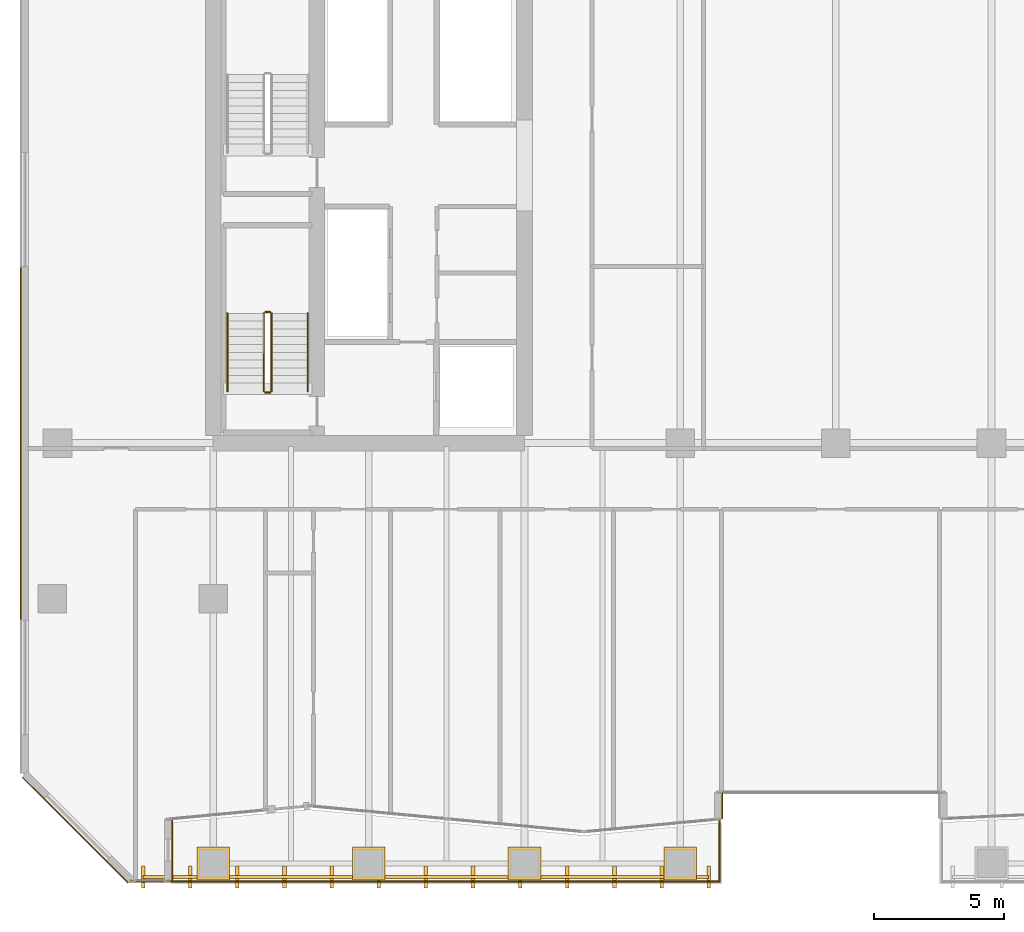
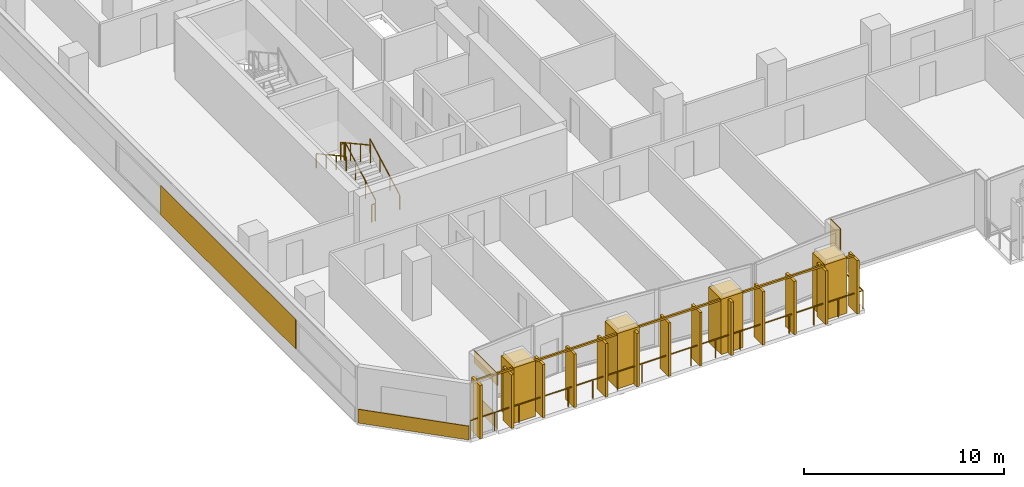
# One storey, part 26 of 31: 9 coverings, 8 railings.
"""IFC4 building model written with IfcOpenShell, lengths in metres."""

from ifc_helpers import new_model, si_unit, direction, frame, origin, origin_2d, place, context, subcontext, project, spatial, rectangle, extrude, material, layer, layer_set, type_object, element, save


model = new_model("IFC4")

# Units and contexts
model_context = context("Model", 3, precision=1e-05, world=origin(), true_north=direction((0.0, 1.0)))
body_context = subcontext(model_context, "Body", "Model", "MODEL_VIEW")
ifc_project = project(units=[si_unit("LENGTHUNIT", "METRE"), si_unit("AREAUNIT", "SQUARE_METRE"), si_unit("VOLUMEUNIT", "CUBIC_METRE"), si_unit("PLANEANGLEUNIT", "RADIAN"), si_unit("MASSUNIT", "GRAM", prefix="KILO")], contexts=[model_context])

# Site, building, storey
site_placement = place(None, origin())
site = spatial("IfcSite", under=ifc_project, at=site_placement, CompositionType="ELEMENT")
building_placement = place(site_placement, origin())
building = spatial("IfcBuilding", under=site, at=building_placement, Name="Tanjung Sevakor Pilgrim Tower", CompositionType="ELEMENT")
storey_placement = place(building_placement, frame((0.0, 0.0, 58.739990234375)))
storey = spatial("IfcBuildingStorey", under=building, at=storey_placement, Name="L16", CompositionType="ELEMENT", Elevation=58.739990234375)

# Coverings
ifc_material_1 = material(Name="Reconstructed Limestone Cladding", Category="masonry")
ifc_layer = layer(ifc_material_1, 0.044921875)
ifc_layer_set = layer_set([ifc_layer], Name="COV-CLAD-LIMESTONE")
covering_type = type_object("IfcCoveringType", Name="COV-CLAD-LIMESTONE", PredefinedType="CLADDING", material=ifc_layer_set)
covering_1_placement = place(storey_placement, frame((22.422607421875, 8.923583984375, 0.009765625), z_axis=(0.0, 0.0, 1.0), x_axis=(0.0, 1.0, 0.0)))
element("IfcCovering", 1, at=covering_1_placement, inside=storey, type_object=covering_type, Name="L16 Warm Limestone Sill Spandrel EW-L16-MAIN-2-1", PredefinedType="CLADDING", context=body_context, shape_type="SweptSolid", body=[
    extrude(rectangle(XDim=2.287353515625, YDim=0.044921875, at=origin_2d()), origin(), (0.0, 0.0, 1.0), 0.840087890625),
])
covering_2_placement = place(storey_placement, frame((22.422607421875, 8.923583984375, 2.66015625), z_axis=(0.0, 0.0, 1.0), x_axis=(0.0, 1.0, 0.0)))
element("IfcCovering", 2, at=covering_2_placement, inside=storey, type_object=covering_type, Name="L16 Warm Limestone Cornice Spandrel EW-L16-MAIN-2", PredefinedType="CLADDING", context=body_context, shape_type="SweptSolid", body=[
    extrude(rectangle(XDim=2.327392578125, YDim=0.044921875, at=origin_2d()), origin(), (0.0, 0.0, 1.0), 0.739990234375),
])
covering_3_placement = place(storey_placement, frame((43.62255859375, 10.623779296875, 0.02001953125), z_axis=(0.0, 0.0, 1.0), x_axis=(0.0, 1.0, 0.0)))
element("IfcCovering", 3, at=covering_3_placement, inside=storey, type_object=covering_type, Name="L16 Warm Limestone Wall Cladding EW-L16-MAIN-7", PredefinedType="CLADDING", context=body_context, shape_type="SweptSolid", body=[
    extrude(rectangle(XDim=0.99267578125, YDim=0.044921875, at=origin_2d()), origin(), (0.0, 0.0, 1.0), 3.3701171875),
])
covering_4_placement = place(storey_placement, frame((16.577392578125, 24.58447265625, 0.85009765625), z_axis=(0.0, 0.0, 1.0), x_axis=(0.0, -1.0, 0.0)))
element("IfcCovering", 4, at=covering_4_placement, inside=storey, type_object=covering_type, Name="L16 Warm Limestone Pier Panel EW-L16-MAIN-35-2", PredefinedType="CLADDING", context=body_context, shape_type="SweptSolid", body=[
    extrude(rectangle(XDim=13.531005859375, YDim=0.044921875, at=origin_2d()), origin(), (0.0, 0.0, 1.0), 1.81005859375),
])
covering_5_placement = place(storey_placement, frame((18.68408203125, 9.68408203125, 0.009765625), z_axis=(0.0, 0.0, 1.0), x_axis=(0.707106781187, -0.707106781187, 0.0)))
element("IfcCovering", 5, at=covering_5_placement, inside=storey, type_object=covering_type, Name="L16 Warm Limestone Sill Spandrel EW-CHM-L16-MAIN-35-1", PredefinedType="CLADDING", context=body_context, shape_type="SweptSolid", body=[
    extrude(rectangle(XDim=5.74365234375, YDim=0.044921875, at=origin_2d()), origin(), (0.0, 0.0, 1.0), 0.840087890625),
])
for number, where, z_axis, x_axis, name in (
    (6, (24.0, 8.39990234375, 0.01025390625), (0.0, 0.0, 1.0), (1.0, 0.0, 0.0), "L16 Colonnade Pier Limestone Casing 25"),
    (7, (30.0, 8.39990234375, 0.01025390625), (0.0, 0.0, 1.0), (1.0, 0.0, 0.0), "L16 Colonnade Pier Limestone Casing 27"),
    (8, (36.0, 8.39990234375, 0.01025390625), (0.0, 0.0, 1.0), (1.0, 0.0, 0.0), "L16 Colonnade Pier Limestone Casing 29"),
    (9, (42.0, 8.39990234375, 0.01025390625), (0.0, 0.0, 1.0), (1.0, 0.0, 0.0), "L16 Colonnade Pier Limestone Casing 31"),
):
    element("IfcCovering", number, at=place(storey_placement, frame(where, z_axis=z_axis, x_axis=x_axis)), inside=storey, type_object=covering_type, Name=name, PredefinedType="CLADDING", context=body_context, shape_type="SweptSolid", body=[
        extrude(rectangle(XDim=1.260009765625, YDim=1.260009765625, at=origin_2d()), origin(), (0.0, 0.0, 1.0), 3.389892578125),
    ])

# Railings
ifc_material_2 = material(Name="Steel S355J2", Category="steel")
railing_type_1 = type_object("IfcRailingType", Name="RL-EXT-GUARD", PredefinedType="GUARDRAIL", material=ifc_material_2)
railing_1_placement = place(storey_placement, frame((20.800048828125, 7.699951171875, 0.0)))
element("IfcRailing", 10, at=railing_1_placement, inside=storey, type_object=railing_type_1, Name="L16 S-Curve Gap Guardrail SW", PredefinedType="GUARDRAIL", context=body_context, shape_type="SweptSolid", body=[
    extrude(rectangle(XDim=0.0479, YDim=0.0479), frame((0.0, 0.0, 1.1259765625), z_axis=(1.0, 0.0, 0.0), x_axis=(0.0, 1.0, 0.0)), (0.0, 0.0, 1.0), 22.719970703125),
    extrude(rectangle(XDim=0.0479, YDim=0.0479), frame((22.719970703125, 0.0, 1.1259765625), z_axis=(0.0, 1.0, 0.0), x_axis=(-1.0, 0.0, 0.0)), (0.0, 0.0, 1.0), 3.300048828125),
    extrude(rectangle(XDim=0.042, YDim=0.042), origin(), (0.0, 0.0, 1.0), 1.101806640625),
    extrude(rectangle(XDim=0.042, YDim=0.042), frame((1.419921875, 0.0, 0.0)), (0.0, 0.0, 1.0), 1.101806640625),
    extrude(rectangle(XDim=0.042, YDim=0.042), frame((2.840087890625, 0.0, 0.0)), (0.0, 0.0, 1.0), 1.101806640625),
    extrude(rectangle(XDim=0.042, YDim=0.042), frame((4.260009765625, 0.0, 0.0)), (0.0, 0.0, 1.0), 1.101806640625),
    extrude(rectangle(XDim=0.042, YDim=0.042), frame((5.679931640625, 0.0, 0.0)), (0.0, 0.0, 1.0), 1.101806640625),
    extrude(rectangle(XDim=0.042, YDim=0.042), frame((7.10009765625, 0.0, 0.0)), (0.0, 0.0, 1.0), 1.101806640625),
    extrude(rectangle(XDim=0.042, YDim=0.042), frame((8.52001953125, 0.0, 0.0)), (0.0, 0.0, 1.0), 1.101806640625),
    extrude(rectangle(XDim=0.042, YDim=0.042), frame((9.93994140625, 0.0, 0.0)), (0.0, 0.0, 1.0), 1.101806640625),
    extrude(rectangle(XDim=0.042, YDim=0.042), frame((11.35986328125, 0.0, 0.0)), (0.0, 0.0, 1.0), 1.101806640625),
    extrude(rectangle(XDim=0.042, YDim=0.042), frame((12.780029296875, 0.0, 0.0)), (0.0, 0.0, 1.0), 1.101806640625),
    extrude(rectangle(XDim=0.042, YDim=0.042), frame((14.199951171875, 0.0, 0.0)), (0.0, 0.0, 1.0), 1.101806640625),
    extrude(rectangle(XDim=0.042, YDim=0.042), frame((15.619873046875, 0.0, 0.0)), (0.0, 0.0, 1.0), 1.101806640625),
    extrude(rectangle(XDim=0.042, YDim=0.042), frame((17.0400390625, 0.0, 0.0)), (0.0, 0.0, 1.0), 1.101806640625),
    extrude(rectangle(XDim=0.042, YDim=0.042), frame((18.4599609375, 0.0, 0.0)), (0.0, 0.0, 1.0), 1.101806640625),
    extrude(rectangle(XDim=0.042, YDim=0.042), frame((19.8798828125, 0.0, 0.0)), (0.0, 0.0, 1.0), 1.101806640625),
    extrude(rectangle(XDim=0.042, YDim=0.042), frame((21.300048828125, 0.0, 0.0)), (0.0, 0.0, 1.0), 1.101806640625),
    extrude(rectangle(XDim=0.042, YDim=0.042), frame((22.719970703125, 0.0, 0.0)), (0.0, 0.0, 1.0), 1.101806640625),
    extrude(rectangle(XDim=0.042, YDim=0.042), frame((22.719970703125, 1.10009765625, 0.0)), (0.0, 0.0, 1.0), 1.101806640625),
    extrude(rectangle(XDim=0.042, YDim=0.042), frame((22.719970703125, 2.199951171875, 0.0)), (0.0, 0.0, 1.0), 1.101806640625),
    extrude(rectangle(XDim=0.042, YDim=0.042), frame((22.719970703125, 3.300048828125, 0.0)), (0.0, 0.0, 1.0), 1.101806640625),
])
ifc_material_3 = material(Name="Anodised Bronze Aluminium 6063-T6", Category="aluminium")
railing_type_2 = type_object("IfcRailingType", Name="RL-FIN-SCREEN", PredefinedType="BALUSTRADE", material=ifc_material_3)
railing_2_placement = place(storey_placement, frame((21.300048828125, 7.8798828125, 0.0)))
element("IfcRailing", 11, at=railing_2_placement, inside=storey, type_object=railing_type_2, Name="L16 Vertical Bronze-Gold Solar Fin Screen FN-SCGAP-L16-SW-1", PredefinedType="BALUSTRADE", context=body_context, shape_type="SweptSolid", body=[
    extrude(rectangle(XDim=0.105, YDim=0.105), frame((0.0, 0.0, 3.317626953125), z_axis=(1.0, 0.0, 0.0), x_axis=(0.0, 1.0, 0.0)), (0.0, 0.0, 1.0), 21.800048828125),
    extrude(rectangle(XDim=0.14, YDim=0.85), origin(), (0.0, 0.0, 1.0), 3.26513671875),
    extrude(rectangle(XDim=0.14, YDim=0.85), frame((1.816650390625, 0.0, 0.0)), (0.0, 0.0, 1.0), 3.26513671875),
    extrude(rectangle(XDim=0.14, YDim=0.85), frame((3.63330078125, 0.0, 0.0)), (0.0, 0.0, 1.0), 3.26513671875),
    extrude(rectangle(XDim=0.14, YDim=0.85), frame((5.449951171875, 0.0, 0.0)), (0.0, 0.0, 1.0), 3.26513671875),
    extrude(rectangle(XDim=0.14, YDim=0.85), frame((7.2666015625, 0.0, 0.0)), (0.0, 0.0, 1.0), 3.26513671875),
    extrude(rectangle(XDim=0.14, YDim=0.85), frame((9.083251953125, 0.0, 0.0)), (0.0, 0.0, 1.0), 3.26513671875),
    extrude(rectangle(XDim=0.14, YDim=0.85), frame((10.89990234375, 0.0, 0.0)), (0.0, 0.0, 1.0), 3.26513671875),
    extrude(rectangle(XDim=0.14, YDim=0.85), frame((12.716796875, 0.0, 0.0)), (0.0, 0.0, 1.0), 3.26513671875),
    extrude(rectangle(XDim=0.14, YDim=0.85), frame((14.533447265625, 0.0, 0.0)), (0.0, 0.0, 1.0), 3.26513671875),
    extrude(rectangle(XDim=0.14, YDim=0.85), frame((16.35009765625, 0.0, 0.0)), (0.0, 0.0, 1.0), 3.26513671875),
    extrude(rectangle(XDim=0.14, YDim=0.85), frame((18.166748046875, 0.0, 0.0)), (0.0, 0.0, 1.0), 3.26513671875),
    extrude(rectangle(XDim=0.14, YDim=0.85), frame((19.9833984375, 0.0, 0.0)), (0.0, 0.0, 1.0), 3.26513671875),
    extrude(rectangle(XDim=0.14, YDim=0.85), frame((21.800048828125, 0.0, 0.0)), (0.0, 0.0, 1.0), 3.26513671875),
])
ifc_material_4 = material(Name="Steel S355J2", Category="steel")
railing_type_3 = type_object("IfcRailingType", Name="RL-STAIR-GUARD", PredefinedType="GUARDRAIL", material=ifc_material_4)
railing_3_placement = place(storey_placement, frame((26.25, 26.60009765625, 0.1650390625)))
element("IfcRailing", 12, at=railing_3_placement, inside=storey, type_object=railing_type_3, Name="L16 TS-W1 stair guard 1", PredefinedType="GUARDRAIL", context=body_context, shape_type="SweptSolid", body=[
    extrude(rectangle(XDim=0.0479, YDim=0.0479), frame((0.0, 0.0, 1.076171875), z_axis=(0.0, 0.876227952683, 0.48189685093), x_axis=(-1.0, 0.0, 0.0)), (0.0, 0.0, 1.0), 3.423828125),
    extrude(rectangle(XDim=0.042, YDim=0.042), origin(), (0.0, 0.0, 1.0), 1.052001953125),
    extrude(rectangle(XDim=0.042, YDim=0.042), frame((0.0, 1.0, 0.550048828125)), (0.0, 0.0, 1.0), 1.052001953125),
    extrude(rectangle(XDim=0.042, YDim=0.042), frame((0.0, 2.0, 1.099853515625)), (0.0, 0.0, 1.0), 1.052001953125),
    extrude(rectangle(XDim=0.042, YDim=0.042), frame((0.0, 3.0, 1.64990234375)), (0.0, 0.0, 1.0), 1.052001953125),
])
railing_4_placement = place(storey_placement, frame((26.199951171875, 29.64990234375, 1.81494140625)))
element("IfcRailing", 13, at=railing_4_placement, inside=storey, type_object=railing_type_3, Name="L16 TS-W1 stair guard 2", PredefinedType="GUARDRAIL", context=body_context, shape_type="SweptSolid", body=[
    extrude(rectangle(XDim=0.0479, YDim=0.0479), frame((0.0, 0.0, 1.076171875), z_axis=(-1.0, 0.0, 0.0), x_axis=(0.0, -1.0, 0.0)), (0.0, 0.0, 1.0), 0.199951171875),
    extrude(rectangle(XDim=0.042, YDim=0.042), origin(), (0.0, 0.0, 1.0), 1.052001953125),
    extrude(rectangle(XDim=0.042, YDim=0.042), frame((-0.199951171875, 0.0, 0.0)), (0.0, 0.0, 1.0), 1.052001953125),
])
railing_5_placement = place(storey_placement, frame((25.949951171875, 29.60009765625, 1.97998046875)))
element("IfcRailing", 14, at=railing_5_placement, inside=storey, type_object=railing_type_3, Name="L16 TS-W1 stair guard 3", PredefinedType="GUARDRAIL", context=body_context, shape_type="SweptSolid", body=[
    extrude(rectangle(XDim=0.0479, YDim=0.0479), frame((0.0, 0.0, 1.076171875), z_axis=(0.0, -0.876197842262, 0.481951596342), x_axis=(1.0, 0.0, 0.0)), (0.0, 0.0, 1.0), 3.423828125),
    extrude(rectangle(XDim=0.042, YDim=0.042), origin(), (0.0, 0.0, 1.0), 1.052001953125),
    extrude(rectangle(XDim=0.042, YDim=0.042), frame((0.0, -1.0, 0.550048828125)), (0.0, 0.0, 1.0), 1.052001953125),
    extrude(rectangle(XDim=0.042, YDim=0.042), frame((0.0, -2.0, 1.10009765625)), (0.0, 0.0, 1.0), 1.052001953125),
    extrude(rectangle(XDim=0.042, YDim=0.042), frame((0.0, -3.0, 1.650146484375)), (0.0, 0.0, 1.0), 1.052001953125),
])
railing_6_placement = place(storey_placement, frame((26.199951171875, 26.550048828125, 0.0)))
element("IfcRailing", 15, at=railing_6_placement, inside=storey, type_object=railing_type_3, Name="L16 TS-W1 stair guard 4", PredefinedType="GUARDRAIL", context=body_context, shape_type="SweptSolid", body=[
    extrude(rectangle(XDim=0.0479, YDim=0.0479), frame((0.0, 0.0, 1.076171875), z_axis=(-1.0, 0.0, 0.0), x_axis=(0.0, -1.0, 0.0)), (0.0, 0.0, 1.0), 0.199951171875),
    extrude(rectangle(XDim=0.042, YDim=0.042), origin(), (0.0, 0.0, 1.0), 1.052001953125),
    extrude(rectangle(XDim=0.042, YDim=0.042), frame((-0.199951171875, 0.0, 0.0)), (0.0, 0.0, 1.0), 1.052001953125),
])
ifc_material_5 = material(Name="Steel S355J2", Category="steel")
railing_type_4 = type_object("IfcRailingType", Name="RL-STAIR-HAND", PredefinedType="HANDRAIL", material=ifc_material_5)
railing_7_placement = place(storey_placement, frame((27.64990234375, 26.60009765625, 0.1650390625)))
element("IfcRailing", 16, at=railing_7_placement, inside=storey, type_object=railing_type_4, Name="L16 TS-W1 stair handrail 1", PredefinedType="HANDRAIL", context=body_context, shape_type="SweptSolid", body=[
    extrude(rectangle(XDim=0.0479, YDim=0.0479), frame((0.0, 0.0, 0.8759765625), z_axis=(0.0, 0.876227952683, 0.48189685093), x_axis=(-1.0, 0.0, 0.0)), (0.0, 0.0, 1.0), 3.423828125),
    extrude(rectangle(XDim=0.042, YDim=0.042), origin(), (0.0, 0.0, 1.0), 0.851806640625),
    extrude(rectangle(XDim=0.042, YDim=0.042), frame((0.0, 1.0, 0.550048828125)), (0.0, 0.0, 1.0), 0.851806640625),
    extrude(rectangle(XDim=0.042, YDim=0.042), frame((0.0, 2.0, 1.099853515625)), (0.0, 0.0, 1.0), 0.851806640625),
    extrude(rectangle(XDim=0.042, YDim=0.042), frame((0.0, 3.0, 1.64990234375)), (0.0, 0.0, 1.0), 0.851806640625),
])
railing_8_placement = place(storey_placement, frame((24.550048828125, 29.60009765625, 1.97998046875)))
element("IfcRailing", 17, at=railing_8_placement, inside=storey, type_object=railing_type_4, Name="L16 TS-W1 stair handrail 2", PredefinedType="HANDRAIL", context=body_context, shape_type="SweptSolid", body=[
    extrude(rectangle(XDim=0.0479, YDim=0.0479), frame((0.0, 0.0, 0.8759765625), z_axis=(0.0, -0.876197842262, 0.481951596342), x_axis=(1.0, 0.0, 0.0)), (0.0, 0.0, 1.0), 3.423828125),
    extrude(rectangle(XDim=0.042, YDim=0.042), origin(), (0.0, 0.0, 1.0), 0.851806640625),
    extrude(rectangle(XDim=0.042, YDim=0.042), frame((0.0, -1.0, 0.550048828125)), (0.0, 0.0, 1.0), 0.851806640625),
    extrude(rectangle(XDim=0.042, YDim=0.042), frame((0.0, -2.0, 1.10009765625)), (0.0, 0.0, 1.0), 0.851806640625),
    extrude(rectangle(XDim=0.042, YDim=0.042), frame((0.0, -3.0, 1.650146484375)), (0.0, 0.0, 1.0), 0.851806640625),
])

save(model, "model.ifc")
